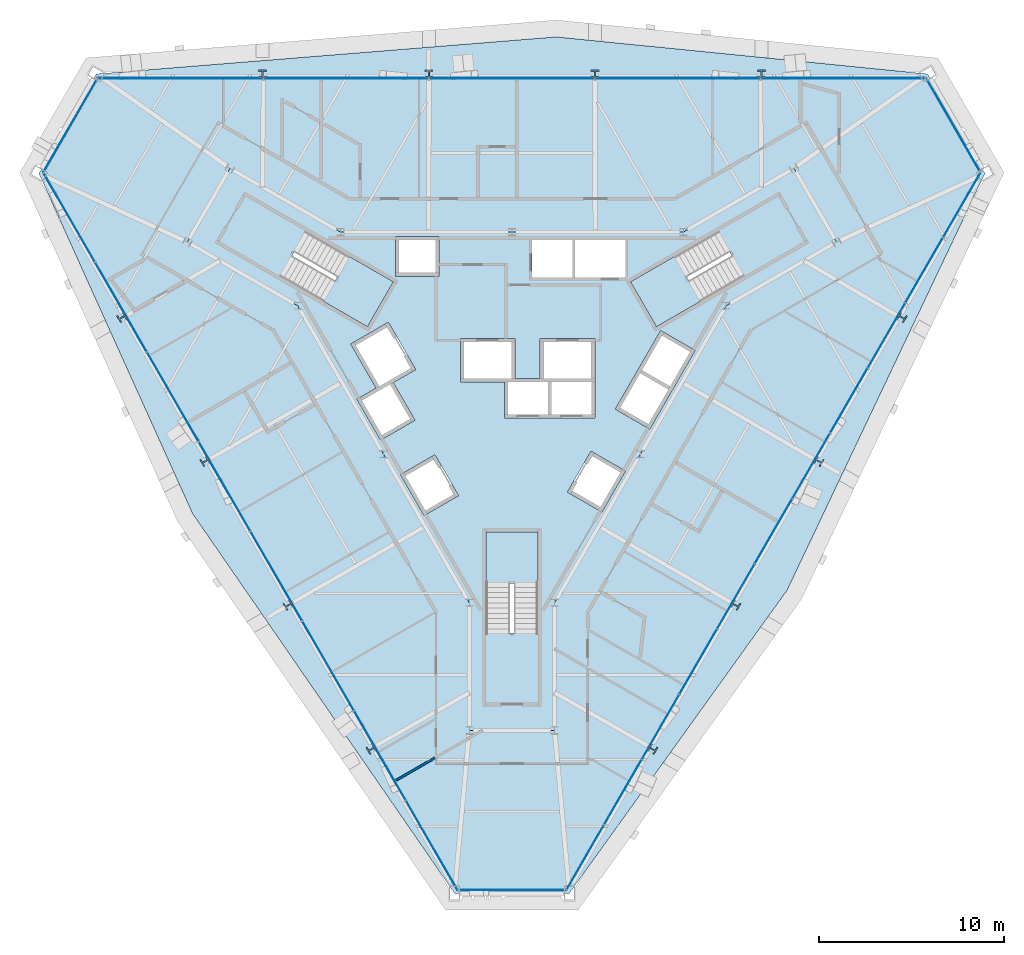
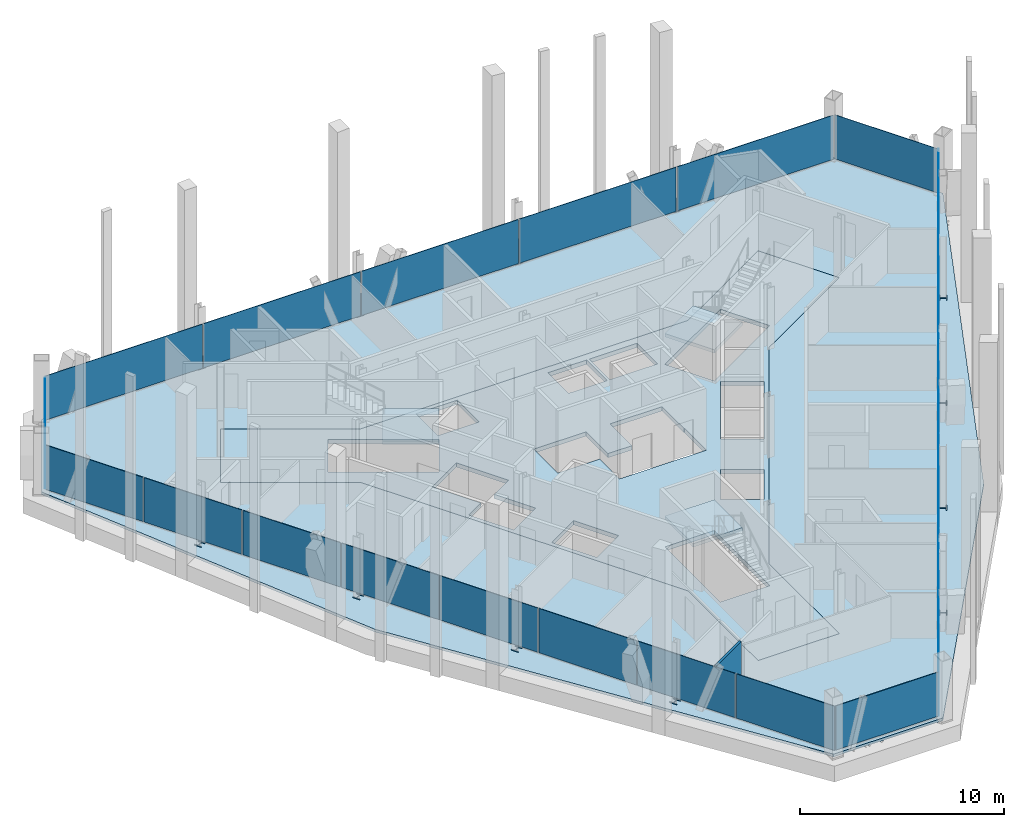
# One storey, part 10 of 16: 27 plates, 12 members, 5 slabs, 1 wall, 9 elements without a shape of their own.
"""IFC4 building model written with IfcOpenShell, lengths in metres."""

from ifc_helpers import new_model, si_unit, direction, frame, frame_2d, origin, origin_2d, place, context, subcontext, project, spatial, polyline, rectangle, i_section, outline, extrude, material, layer, layer_set, material_profile, profile_set, type_object, element, aggregate, save


model = new_model("IFC4")

# Units and contexts
model_context = context("Model", 3, precision=1e-05, world=origin(), true_north=direction((0.0, 1.0)))
body_context = subcontext(model_context, "Body", "Model", "MODEL_VIEW")
ifc_project = project(units=[si_unit("LENGTHUNIT", "METRE"), si_unit("AREAUNIT", "SQUARE_METRE"), si_unit("VOLUMEUNIT", "CUBIC_METRE"), si_unit("PLANEANGLEUNIT", "RADIAN"), si_unit("MASSUNIT", "GRAM", prefix="KILO")], contexts=[model_context])

# Site, building, storey
site_placement = place(None, origin())
site = spatial("IfcSite", under=ifc_project, at=site_placement, CompositionType="ELEMENT")
building_placement = place(site_placement, origin())
building = spatial("IfcBuilding", under=site, at=building_placement, Name="Verrane Prism Tower", CompositionType="ELEMENT")
storey_placement = place(building_placement, frame((0.0, 0.0, 236.0)))
storey = spatial("IfcBuildingStorey", under=building, at=storey_placement, Name="L59", CompositionType="ELEMENT", Elevation=236.0)

# Members
ifc_material_1 = material(Name="Steel A992", Category="steel")
ifc_material_profile = material_profile(ifc_material_1, i_section(OverallWidth=0.4013671875, OverallDepth=0.398681640625, WebThickness=0.02490234375, FlangeThickness=0.03955078125, FilletRadius=0.01513671875, at=origin_2d()), Name="W14x211")
ifc_profile_set = profile_set([ifc_material_profile], Name="Steel A992")
member_type = type_object("IfcMemberType", Name="Kink node W14x211", PredefinedType="COLLAR", material=ifc_profile_set)
for number, where, z_axis, x_axis, name in (
    (1, (13.458984375, 16.526611328125, -0.034912109375), (0.0, 0.0, 1.0), (1.0, 0.0, 0.0), "Kink node PC8 L59"),
    (2, (4.489501953125, 16.526611328125, -0.034912109375), (0.0, 0.0, 1.0), (1.0, 0.0, 0.0), "Kink node PC8 L59"),
    (3, (-4.489501953125, 16.526611328125, -0.034912109375), (0.0, 0.0, 1.0), (1.0, 0.0, 0.0), "Kink node PC8 L59"),
    (4, (-13.458984375, 16.526611328125, -0.034912109375), (0.0, 0.0, 1.0), (1.0, 0.0, 0.0), "Kink node PC8 L59"),
    (5, (7.587646484375, -19.917236328125, -0.034912109375), (0.0, 0.0, 1.0), (-0.5, -0.866025403784, 0.0), "Kink node PC8 L59"),
    (6, (12.0673828125, -12.14794921875, -0.034912109375), (0.0, 0.0, 1.0), (-0.5, -0.866025403784, 0.0), "Kink node PC8 L59"),
    (7, (16.556884765625, -4.378662109375, -0.034912109375), (0.0, 0.0, 1.0), (-0.5, -0.866025403784, 0.0), "Kink node PC8 L59"),
):
    element("IfcMember", number, at=place(storey_placement, frame(where, z_axis=z_axis, x_axis=x_axis)), inside=storey, type_object=member_type, Name=name, PredefinedType="COLLAR", context=body_context, shape_type="SweptSolid", body=[
        extrude(i_section(OverallWidth=0.4013671875, OverallDepth=0.398681640625, WebThickness=0.02490234375, FlangeThickness=0.03955078125, FilletRadius=0.01513671875, at=origin_2d()), origin(), (0.0, 0.0, 1.0), 0.06982421875),
    ])
for number, where, z_axis, x_axis, name in (
    (8, (21.046142578125, 3.390869140625, -0.0400390625), (0.0, 0.0, 1.0), (-0.5, -0.866025403784, 0.0), "Kink node PC8 L59"),
    (9, (-21.046142578125, 3.390869140625, -0.0400390625), (0.0, 0.0, 1.0), (-0.5, 0.866025403784, 0.0), "Kink node PC8 L59"),
):
    element("IfcMember", number, at=place(storey_placement, frame(where, z_axis=z_axis, x_axis=x_axis)), inside=storey, type_object=member_type, Name=name, PredefinedType="COLLAR", context=body_context, shape_type="SweptSolid", body=[
        extrude(i_section(OverallWidth=0.4013671875, OverallDepth=0.398681640625, WebThickness=0.02490234375, FlangeThickness=0.03955078125, FilletRadius=0.01513671875, at=origin_2d()), origin(), (0.0, 0.0, 1.0), 0.080078125),
    ])
for number, where, z_axis, x_axis, name in (
    (10, (-16.556884765625, -4.378662109375, -0.034912109375), (0.0, 0.0, 1.0), (-0.5, 0.866025403784, 0.0), "Kink node PC8 L59"),
    (11, (-12.0673828125, -12.14794921875, -0.034912109375), (0.0, 0.0, 1.0), (-0.5, 0.866025403784, 0.0), "Kink node PC8 L59"),
    (12, (-7.587646484375, -19.917236328125, -0.034912109375), (0.0, 0.0, 1.0), (-0.5, 0.866025403784, 0.0), "Kink node PC8 L59"),
):
    element("IfcMember", number, at=place(storey_placement, frame(where, z_axis=z_axis, x_axis=x_axis)), inside=storey, type_object=member_type, Name=name, PredefinedType="COLLAR", context=body_context, shape_type="SweptSolid", body=[
        extrude(i_section(OverallWidth=0.4013671875, OverallDepth=0.398681640625, WebThickness=0.02490234375, FlangeThickness=0.03955078125, FilletRadius=0.01513671875, at=origin_2d()), origin(), (0.0, 0.0, 1.0), 0.06982421875),
    ])

# Slabs
ifc_material_2 = material(Name="Concrete C35/45", Category="concrete")
ifc_layer_1 = layer(ifc_material_2, 0.159912109375)
ifc_layer_set_1 = layer_set([ifc_layer_1], Name="Composite floor slab")
slab_type_1 = type_object("IfcSlabType", Name="Composite floor slab", PredefinedType="FLOOR", material=ifc_layer_set_1)
slab_1_placement = place(storey_placement, frame((0.0, 0.0, -0.159912109375)))
element("IfcSlab", 13, at=slab_1_placement, inside=storey, type_object=slab_type_1, Name="Floor slab L59", PredefinedType="FLOOR", context=body_context, shape_type="SweptSolid", body=[
    extrude(outline(polyline([(14.85107421875, -11.33740234375), (3.09912109375, -27.6923828125), (-3.09912109375, -27.6923828125), (-17.243896484375, -7.192626953125), (-25.53173828125, 11.162353515625), (-22.432861328125, 16.530029296875), (2.392822265625, 18.530029296875), (22.432861328125, 16.530029296875), (25.53173828125, 11.162353515625), (14.85107421875, -11.33740234375)]), holes=[polyline([(17.52001953125, 7.4599609375), (15.219970703125, 11.43994140625), (9.260009765625, 8.0), (0.0, 8.0), (-9.260009765625, 8.0), (-15.219970703125, 11.43994140625), (-17.52001953125, 7.4599609375), (-11.56005859375, 4.02001953125), (-6.929931640625, -4.0), (-2.300048828125, -12.02001953125), (-2.300048828125, -18.89990234375), (2.300048828125, -18.89990234375), (2.300048828125, -12.02001953125), (6.929931640625, -4.0), (11.56005859375, 4.02001953125), (17.52001953125, 7.4599609375)])]), origin(), (0.0, 0.0, 1.0), 0.159912109375),
])
ifc_material_3 = material(Name="Concrete C40/50", Category="concrete")
ifc_layer_2 = layer(ifc_material_3, 0.25)
ifc_layer_set_2 = layer_set([ifc_layer_2], Name="Core floor slab 250 concrete C40/50")
slab_type_2 = type_object("IfcSlabType", Name="Core floor slab 250 concrete C40/50", PredefinedType="FLOOR", material=ifc_layer_set_2)
slab_2_placement = place(storey_placement, frame((0.0, 0.0, -0.25)))
element("IfcSlab", 14, at=slab_2_placement, inside=storey, type_object=slab_type_2, Name="Core floor L59", PredefinedType="FLOOR", context=body_context, shape_type="SweptSolid", body=[
    extrude(outline(polyline([(11.56005859375, 4.02001953125), (17.52001953125, 7.4599609375), (15.219970703125, 11.43994140625), (9.260009765625, 8.0), (0.0, 8.0), (-9.260009765625, 8.0), (-15.219970703125, 11.43994140625), (-17.52001953125, 7.4599609375), (-11.56005859375, 4.02001953125), (-6.929931640625, -4.0), (-2.300048828125, -12.02001953125), (-2.300048828125, -18.89990234375), (2.300048828125, -18.89990234375), (2.300048828125, -12.02001953125), (6.929931640625, -4.0), (11.56005859375, 4.02001953125)]), holes=[polyline([(1.39990234375, -8.199951171875), (1.39990234375, -13.639892578125), (-1.39990234375, -13.639892578125), (-1.39990234375, -8.199951171875), (1.39990234375, -8.199951171875)]), polyline([(-2.881103515625, -6.22998046875), (-4.742919921875, -7.304931640625), (-6.01806640625, -5.096923828125), (-4.156005859375, -4.02197265625), (-2.881103515625, -6.22998046875)]), polyline([(-7.801025390625, 2.887939453125), (-12.512939453125, 5.60791015625), (-11.113037109375, 8.031982421875), (-6.40087890625, 5.31201171875), (-7.801025390625, 2.887939453125)]), polyline([(-6.284912109375, 5.610107421875), (-6.284912109375, 7.760009765625), (-3.93505859375, 7.760009765625), (-3.93505859375, 5.610107421875), (-6.284912109375, 5.610107421875)]), polyline([(4.26611328125, -3.8310546875), (6.1279296875, -4.906005859375), (4.85302734375, -7.114990234375), (2.990966796875, -6.0400390625), (4.26611328125, -3.8310546875)]), polyline([(7.43798828125, -2.636962890625), (5.575927734375, -1.56201171875), (8.02587890625, 2.680908203125), (9.887939453125, 1.60595703125), (7.43798828125, -2.636962890625)]), polyline([(0.1650390625, 0.10009765625), (1.52490234375, 0.10009765625), (1.52490234375, 2.25), (4.47509765625, 2.25), (4.47509765625, 0.10009765625), (4.4951171875, 0.10009765625), (4.4951171875, -2.050048828125), (-0.405029296875, -2.050048828125), (-0.405029296875, -0.10009765625), (-2.784912109375, -0.10009765625), (-2.784912109375, 2.25), (0.1650390625, 2.25), (0.1650390625, 0.10009765625)]), polyline([(6.40087890625, 5.31201171875), (11.113037109375, 8.031982421875), (12.512939453125, 5.60791015625), (7.801025390625, 2.887939453125), (6.40087890625, 5.31201171875)]), polyline([(1.074951171875, 5.534912109375), (1.074951171875, 7.56005859375), (3.264892578125, 7.56005859375), (3.264892578125, 5.534912109375), (1.074951171875, 5.534912109375)]), polyline([(3.4150390625, 7.56005859375), (6.125, 7.56005859375), (6.125, 5.534912109375), (3.4150390625, 5.534912109375), (3.4150390625, 7.56005859375)]), polyline([(-5.23095703125, -2.159912109375), (-7.093017578125, -3.235107421875), (-8.367919921875, -1.02587890625), (-7.3291015625, -0.426025390625), (-8.7041015625, 1.955078125), (-6.66796875, 3.1298828125), (-5.193115234375, 0.574951171875), (-6.406005859375, -0.125), (-5.23095703125, -2.159912109375)])]), origin(), (0.0, 0.0, 1.0), 0.25),
])

# Curtain wall, plates
ifc_material_4 = material(Name="Aluminium framed insulated glazing", Category="aluminium")
curtain_wall_type_1 = type_object("IfcCurtainWallType", Name="Curtain wall CW-C 4200 module", PredefinedType="NOTDEFINED", material=ifc_material_4)
curtain_wall_1_placement = place(storey_placement, origin())
curtain_wall_1 = element("IfcCurtainWall", 15, at=curtain_wall_1_placement, inside=storey, type_object=curtain_wall_type_1, Name="Glazed curtain wall south-east face L59", PredefinedType="NOTDEFINED")
ifc_material_5 = material(Name="Low-iron insulating glass unit", Category="glass")
ifc_layer_3 = layer(ifc_material_5, 0.02392578125)
ifc_layer_set_3 = layer_set([ifc_layer_3], Name="Glazing panel IGU 24")
plate_type_1 = type_object("IfcPlateType", Name="Glazing panel IGU 24", PredefinedType="CURTAIN_PANEL", material=ifc_layer_set_3)
plate_1_placement = place(storey_placement, frame((3.96044921875, -25.743896484375, 0.0498046875), z_axis=(0.0, 0.0, 1.0), x_axis=(0.499999384578, 0.866025759098, 0.0)))
plate_1 = element("IfcPlate", 16, at=plate_1_placement, type_object=plate_type_1, Name="CW59.6 panel 1", PredefinedType="CURTAIN_PANEL", context=body_context, shape_type="SweptSolid", body=[
    extrude(rectangle(XDim=3.990478515625, YDim=0.02392578125, at=origin_2d()), origin(), (0.0, 0.0, 1.0), 2.662841796875),
])
plate_2_placement = place(storey_placement, frame((5.987060546875, -22.23388671875, 0.0498046875), z_axis=(0.0, 0.0, 1.0), x_axis=(0.499999384578, 0.866025759098, 0.0)))
plate_2 = element("IfcPlate", 17, at=plate_2_placement, type_object=plate_type_1, Name="CW59.6 panel 2", PredefinedType="CURTAIN_PANEL", context=body_context, shape_type="SweptSolid", body=[
    extrude(rectangle(XDim=4.015380859375, YDim=0.02392578125, at=origin_2d()), origin(), (0.0, 0.0, 1.0), 2.662841796875),
])
plate_3_placement = place(storey_placement, frame((8.01953125, -18.713134765625, 0.0498046875), z_axis=(0.0, 0.0, 1.0), x_axis=(0.499999384578, 0.866025759098, 0.0)))
plate_3 = element("IfcPlate", 18, at=plate_3_placement, type_object=plate_type_1, Name="CW59.6 panel 3", PredefinedType="CURTAIN_PANEL", context=body_context, shape_type="SweptSolid", body=[
    extrude(rectangle(XDim=4.015380859375, YDim=0.02392578125, at=origin_2d()), origin(), (0.0, 0.0, 1.0), 2.662841796875),
])
plate_4_placement = place(storey_placement, frame((10.05224609375, -15.1923828125, 0.0498046875), z_axis=(0.0, 0.0, 1.0), x_axis=(0.499999384578, 0.866025759098, 0.0)))
plate_4 = element("IfcPlate", 19, at=plate_4_placement, type_object=plate_type_1, Name="CW59.6 panel 4", PredefinedType="CURTAIN_PANEL", context=body_context, shape_type="SweptSolid", body=[
    extrude(rectangle(XDim=4.015380859375, YDim=0.02392578125, at=origin_2d()), origin(), (0.0, 0.0, 1.0), 2.662841796875),
])
plate_5_placement = place(storey_placement, frame((12.0849609375, -11.671630859375, 0.0498046875), z_axis=(0.0, 0.0, 1.0), x_axis=(0.499999384578, 0.866025759098, 0.0)))
plate_5 = element("IfcPlate", 20, at=plate_5_placement, type_object=plate_type_1, Name="CW59.6 panel 5", PredefinedType="CURTAIN_PANEL", context=body_context, shape_type="SweptSolid", body=[
    extrude(rectangle(XDim=4.015380859375, YDim=0.02392578125, at=origin_2d()), origin(), (0.0, 0.0, 1.0), 2.662841796875),
])
plate_6_placement = place(storey_placement, frame((14.11767578125, -8.15087890625, 0.0498046875), z_axis=(0.0, 0.0, 1.0), x_axis=(0.499999384578, 0.866025759098, 0.0)))
plate_6 = element("IfcPlate", 21, at=plate_6_placement, type_object=plate_type_1, Name="CW59.6 panel 6", PredefinedType="CURTAIN_PANEL", context=body_context, shape_type="SweptSolid", body=[
    extrude(rectangle(XDim=4.015380859375, YDim=0.02392578125, at=origin_2d()), origin(), (0.0, 0.0, 1.0), 2.662841796875),
])
plate_7_placement = place(storey_placement, frame((16.150390625, -4.630126953125, 0.0498046875), z_axis=(0.0, 0.0, 1.0), x_axis=(0.499999384578, 0.866025759098, 0.0)))
plate_7 = element("IfcPlate", 22, at=plate_7_placement, type_object=plate_type_1, Name="CW59.6 panel 7", PredefinedType="CURTAIN_PANEL", context=body_context, shape_type="SweptSolid", body=[
    extrude(rectangle(XDim=4.015380859375, YDim=0.02392578125, at=origin_2d()), origin(), (0.0, 0.0, 1.0), 2.662841796875),
])
plate_8_placement = place(storey_placement, frame((18.18310546875, -1.109375, 0.0498046875), z_axis=(0.0, 0.0, 1.0), x_axis=(0.499999384578, 0.866025759098, 0.0)))
plate_8 = element("IfcPlate", 23, at=plate_8_placement, type_object=plate_type_1, Name="CW59.6 panel 8", PredefinedType="CURTAIN_PANEL", context=body_context, shape_type="SweptSolid", body=[
    extrude(rectangle(XDim=4.015380859375, YDim=0.02392578125, at=origin_2d()), origin(), (0.0, 0.0, 1.0), 2.662841796875),
])
plate_9_placement = place(storey_placement, frame((20.2158203125, 2.411376953125, 0.0498046875), z_axis=(0.0, 0.0, 1.0), x_axis=(0.499999384578, 0.866025759098, 0.0)))
plate_9 = element("IfcPlate", 24, at=plate_9_placement, type_object=plate_type_1, Name="CW59.6 panel 9", PredefinedType="CURTAIN_PANEL", context=body_context, shape_type="SweptSolid", body=[
    extrude(rectangle(XDim=4.015380859375, YDim=0.02392578125, at=origin_2d()), origin(), (0.0, 0.0, 1.0), 2.662841796875),
])
plate_10_placement = place(storey_placement, frame((22.24853515625, 5.93212890625, 0.0498046875), z_axis=(0.0, 0.0, 1.0), x_axis=(0.499999384578, 0.866025759098, 0.0)))
plate_10 = element("IfcPlate", 25, at=plate_10_placement, type_object=plate_type_1, Name="CW59.6 panel 10", PredefinedType="CURTAIN_PANEL", context=body_context, shape_type="SweptSolid", body=[
    extrude(rectangle(XDim=4.015380859375, YDim=0.02392578125, at=origin_2d()), origin(), (0.0, 0.0, 1.0), 2.662841796875),
])
plate_11_placement = place(storey_placement, frame((24.28759765625, 9.463623046875, 0.0498046875), z_axis=(0.0, 0.0, 1.0), x_axis=(0.499999384578, 0.866025759098, 0.0)))
plate_11 = element("IfcPlate", 26, at=plate_11_placement, type_object=plate_type_1, Name="CW59.6 panel 11", PredefinedType="CURTAIN_PANEL", context=body_context, shape_type="SweptSolid", body=[
    extrude(rectangle(XDim=4.040283203125, YDim=0.02392578125, at=origin_2d()), origin(), (0.0, 0.0, 1.0), 2.662841796875),
])
aggregate(curtain_wall_1, [plate_1, plate_2, plate_3, plate_4, plate_5, plate_6, plate_7, plate_8, plate_9, plate_10, plate_11])

ifc_material_6 = material(Name="Aluminium framed insulated glazing", Category="aluminium")
curtain_wall_type_2 = type_object("IfcCurtainWallType", Name="Curtain wall CW-B 5600 module", PredefinedType="NOTDEFINED", material=ifc_material_6)
curtain_wall_2_placement = place(storey_placement, origin())
curtain_wall_2 = element("IfcCurtainWall", 27, at=curtain_wall_2_placement, inside=storey, type_object=curtain_wall_type_2, Name="Glazed curtain wall south-west face L59", PredefinedType="NOTDEFINED")
ifc_material_7 = material(Name="Low-iron insulating glass unit", Category="glass")
ifc_layer_4 = layer(ifc_material_7, 0.028076171875)
ifc_layer_set_4 = layer_set([ifc_layer_4], Name="Glazing panel IGU 28")
plate_type_2 = type_object("IfcPlateType", Name="Glazing panel IGU 28", PredefinedType="CURTAIN_PANEL", material=ifc_layer_set_4)
plate_12_placement = place(storey_placement, frame((-23.892578125, 8.77978515625, 0.06005859375), z_axis=(0.0, 0.0, 1.0), x_axis=(0.499999384578, -0.866025759098, 0.0)))
plate_12 = element("IfcPlate", 28, at=plate_12_placement, type_object=plate_type_2, Name="CW59.4 panel 1", PredefinedType="CURTAIN_PANEL", context=body_context, shape_type="SweptSolid", body=[
    extrude(rectangle(XDim=5.5, YDim=0.028076171875, at=origin_2d()), origin(), (0.0, 0.0, 1.0), 2.65283203125),
])
plate_13_placement = place(storey_placement, frame((-21.105224609375, 3.95166015625, 0.06005859375), z_axis=(0.0, 0.0, 1.0), x_axis=(0.499999384578, -0.866025759098, 0.0)))
plate_13 = element("IfcPlate", 29, at=plate_13_placement, type_object=plate_type_2, Name="CW59.4 panel 2", PredefinedType="CURTAIN_PANEL", context=body_context, shape_type="SweptSolid", body=[
    extrude(rectangle(XDim=5.530029296875, YDim=0.028076171875, at=origin_2d()), origin(), (0.0, 0.0, 1.0), 2.65283203125),
])
plate_14_placement = place(storey_placement, frame((-18.310302734375, -0.889404296875, 0.06005859375), z_axis=(0.0, 0.0, 1.0), x_axis=(0.499999384578, -0.866025759098, 0.0)))
plate_14 = element("IfcPlate", 30, at=plate_14_placement, type_object=plate_type_2, Name="CW59.4 panel 3", PredefinedType="CURTAIN_PANEL", context=body_context, shape_type="SweptSolid", body=[
    extrude(rectangle(XDim=5.530029296875, YDim=0.028076171875, at=origin_2d()), origin(), (0.0, 0.0, 1.0), 2.65283203125),
])
plate_15_placement = place(storey_placement, frame((-15.51513671875, -5.73046875, 0.06005859375), z_axis=(0.0, 0.0, 1.0), x_axis=(0.499999384578, -0.866025759098, 0.0)))
plate_15 = element("IfcPlate", 31, at=plate_15_placement, type_object=plate_type_2, Name="CW59.4 panel 4", PredefinedType="CURTAIN_PANEL", context=body_context, shape_type="SweptSolid", body=[
    extrude(rectangle(XDim=5.530029296875, YDim=0.028076171875, at=origin_2d()), origin(), (0.0, 0.0, 1.0), 2.65283203125),
])
plate_16_placement = place(storey_placement, frame((-12.72021484375, -10.571533203125, 0.06005859375), z_axis=(0.0, 0.0, 1.0), x_axis=(0.499999384578, -0.866025759098, 0.0)))
plate_16 = element("IfcPlate", 32, at=plate_16_placement, type_object=plate_type_2, Name="CW59.4 panel 5", PredefinedType="CURTAIN_PANEL", context=body_context, shape_type="SweptSolid", body=[
    extrude(rectangle(XDim=5.530029296875, YDim=0.028076171875, at=origin_2d()), origin(), (0.0, 0.0, 1.0), 2.65283203125),
])
plate_17_placement = place(storey_placement, frame((-9.92529296875, -15.412353515625, 0.06005859375), z_axis=(0.0, 0.0, 1.0), x_axis=(0.499999384578, -0.866025759098, 0.0)))
plate_17 = element("IfcPlate", 33, at=plate_17_placement, type_object=plate_type_2, Name="CW59.4 panel 6", PredefinedType="CURTAIN_PANEL", context=body_context, shape_type="SweptSolid", body=[
    extrude(rectangle(XDim=5.530029296875, YDim=0.028076171875, at=origin_2d()), origin(), (0.0, 0.0, 1.0), 2.65283203125),
])
plate_18_placement = place(storey_placement, frame((-7.13037109375, -20.25341796875, 0.06005859375), z_axis=(0.0, 0.0, 1.0), x_axis=(0.499999384578, -0.866025759098, 0.0)))
plate_18 = element("IfcPlate", 34, at=plate_18_placement, type_object=plate_type_2, Name="CW59.4 panel 7", PredefinedType="CURTAIN_PANEL", context=body_context, shape_type="SweptSolid", body=[
    extrude(rectangle(XDim=5.530029296875, YDim=0.028076171875, at=origin_2d()), origin(), (0.0, 0.0, 1.0), 2.65283203125),
])
plate_19_placement = place(storey_placement, frame((-4.327880859375, -25.107421875, 0.06005859375), z_axis=(0.0, 0.0, 1.0), x_axis=(0.499999384578, -0.866025759098, 0.0)))
plate_19 = element("IfcPlate", 35, at=plate_19_placement, type_object=plate_type_2, Name="CW59.4 panel 8", PredefinedType="CURTAIN_PANEL", context=body_context, shape_type="SweptSolid", body=[
    extrude(rectangle(XDim=5.559814453125, YDim=0.028076171875, at=origin_2d()), origin(), (0.0, 0.0, 1.0), 2.65283203125),
])
aggregate(curtain_wall_2, [plate_12, plate_13, plate_14, plate_15, plate_16, plate_17, plate_18, plate_19])

# Curtain wall, plate
ifc_material_8 = material(Name="Aluminium framed insulated glazing", Category="aluminium")
curtain_wall_type_3 = type_object("IfcCurtainWallType", Name="Curtain wall CW-A 8400 module", PredefinedType="NOTDEFINED", material=ifc_material_8)
curtain_wall_3_placement = place(storey_placement, origin())
curtain_wall_3 = element("IfcCurtainWall", 36, at=curtain_wall_3_placement, inside=storey, type_object=curtain_wall_type_3, Name="Glazed curtain wall north-east corner L59", PredefinedType="NOTDEFINED")
ifc_material_9 = material(Name="Low-iron insulating glass unit", Category="glass")
ifc_layer_5 = layer(ifc_material_9, 0.031982421875)
ifc_layer_set_5 = layer_set([ifc_layer_5], Name="Glazing panel IGU 32")
plate_type_3 = type_object("IfcPlateType", Name="Glazing panel IGU 32", PredefinedType="CURTAIN_PANEL", material=ifc_layer_set_5)
plate_20_placement = place(storey_placement, frame((23.81103515625, 13.787841796875, 0.06982421875), z_axis=(0.0, 0.0, 1.0), x_axis=(-0.499999415427, 0.866025741287, 0.0)))
plate_20 = element("IfcPlate", 37, at=plate_20_placement, type_object=plate_type_3, Name="CW59.1 panel 1", PredefinedType="CURTAIN_PANEL", context=body_context, shape_type="SweptSolid", body=[
    extrude(rectangle(XDim=5.805908203125, YDim=0.031982421875, at=origin_2d()), origin(), (0.0, 0.0, 1.0), 2.642822265625),
])
aggregate(curtain_wall_3, [plate_20])

# Curtain wall, plates
curtain_wall_4_placement = place(storey_placement, origin())
curtain_wall_4 = element("IfcCurtainWall", 38, at=curtain_wall_4_placement, inside=storey, type_object=curtain_wall_type_3, Name="Glazed curtain wall north face L59", PredefinedType="NOTDEFINED")
plate_21_placement = place(storey_placement, frame((17.870361328125, 16.3017578125, 0.06982421875), z_axis=(0.0, 0.0, 1.0), x_axis=(-1.0, 0.0, 0.0)))
plate_21 = element("IfcPlate", 39, at=plate_21_placement, type_object=plate_type_3, Name="CW59.2 panel 1", PredefinedType="CURTAIN_PANEL", context=body_context, shape_type="SweptSolid", body=[
    extrude(rectangle(XDim=8.8388671875, YDim=0.031982421875, at=origin_2d()), origin(), (0.0, 0.0, 1.0), 2.642822265625),
])
plate_22_placement = place(storey_placement, frame((8.94384765625, 16.3017578125, 0.06982421875), z_axis=(0.0, 0.0, 1.0), x_axis=(-1.0, 0.0, 0.0)))
plate_22 = element("IfcPlate", 40, at=plate_22_placement, type_object=plate_type_3, Name="CW59.2 panel 2", PredefinedType="CURTAIN_PANEL", context=body_context, shape_type="SweptSolid", body=[
    extrude(rectangle(XDim=8.873779296875, YDim=0.031982421875, at=origin_2d()), origin(), (0.0, 0.0, 1.0), 2.642822265625),
])
plate_23_placement = place(storey_placement, frame((0.0, 16.3017578125, 0.06982421875), z_axis=(0.0, 0.0, 1.0), x_axis=(-1.0, 0.0, 0.0)))
plate_23 = element("IfcPlate", 41, at=plate_23_placement, type_object=plate_type_3, Name="CW59.2 panel 3", PredefinedType="CURTAIN_PANEL", context=body_context, shape_type="SweptSolid", body=[
    extrude(rectangle(XDim=8.873779296875, YDim=0.031982421875, at=origin_2d()), origin(), (0.0, 0.0, 1.0), 2.642822265625),
])
plate_24_placement = place(storey_placement, frame((-8.94384765625, 16.3017578125, 0.06982421875), z_axis=(0.0, 0.0, 1.0), x_axis=(-1.0, 0.0, 0.0)))
plate_24 = element("IfcPlate", 42, at=plate_24_placement, type_object=plate_type_3, Name="CW59.2 panel 4", PredefinedType="CURTAIN_PANEL", context=body_context, shape_type="SweptSolid", body=[
    extrude(rectangle(XDim=8.873779296875, YDim=0.031982421875, at=origin_2d()), origin(), (0.0, 0.0, 1.0), 2.642822265625),
])
plate_25_placement = place(storey_placement, frame((-17.9052734375, 16.3017578125, 0.06982421875), z_axis=(0.0, 0.0, 1.0), x_axis=(-1.0, 0.0, 0.0)))
plate_25 = element("IfcPlate", 43, at=plate_25_placement, type_object=plate_type_3, Name="CW59.2 panel 5", PredefinedType="CURTAIN_PANEL", context=body_context, shape_type="SweptSolid", body=[
    extrude(rectangle(XDim=8.908935546875, YDim=0.031982421875, at=origin_2d()), origin(), (0.0, 0.0, 1.0), 2.642822265625),
])
aggregate(curtain_wall_4, [plate_21, plate_22, plate_23, plate_24, plate_25])

# Curtain wall, plate
curtain_wall_5_placement = place(storey_placement, origin())
curtain_wall_5 = element("IfcCurtainWall", 44, at=curtain_wall_5_placement, inside=storey, type_object=curtain_wall_type_3, Name="Glazed curtain wall north-west corner L59", PredefinedType="NOTDEFINED")
plate_26_placement = place(storey_placement, frame((-23.84619140625, 13.727294921875, 0.06982421875), z_axis=(0.0, 0.0, 1.0), x_axis=(-0.499999415427, -0.866025741287, 0.0)))
plate_26 = element("IfcPlate", 45, at=plate_26_placement, type_object=plate_type_3, Name="CW59.3 panel 1", PredefinedType="CURTAIN_PANEL", context=body_context, shape_type="SweptSolid", body=[
    extrude(rectangle(XDim=5.805908203125, YDim=0.031982421875, at=origin_2d()), origin(), (0.0, 0.0, 1.0), 2.642822265625),
])
aggregate(curtain_wall_5, [plate_26])

curtain_wall_6_placement = place(storey_placement, origin())
curtain_wall_6 = element("IfcCurtainWall", 46, at=curtain_wall_6_placement, inside=storey, type_object=curtain_wall_type_3, Name="Glazed curtain wall south corner L59", PredefinedType="NOTDEFINED")
plate_27_placement = place(storey_placement, frame((0.034912109375, -27.514892578125, 0.06982421875), z_axis=(0.0, 0.0, 1.0), x_axis=(1.0, 0.0, 0.0)))
plate_27 = element("IfcPlate", 47, at=plate_27_placement, type_object=plate_type_3, Name="CW59.5 panel 1", PredefinedType="CURTAIN_PANEL", context=body_context, shape_type="SweptSolid", body=[
    extrude(rectangle(XDim=5.805908203125, YDim=0.031982421875, at=origin_2d()), origin(), (0.0, 0.0, 1.0), 2.642822265625),
])
aggregate(curtain_wall_6, [plate_27])

# Stair, slab
ifc_material_10 = material(Name="Concrete C40/50", Category="concrete")
stair_type = type_object("IfcStairType", Name="Exit stair 1300 dog-leg precast concrete C40/50", PredefinedType="HALF_TURN_STAIR", material=ifc_material_10)
stair_1_placement = place(storey_placement, origin())
stair_1 = element("IfcStair", 48, at=stair_1_placement, inside=storey, type_object=stair_type, Name="Stair 1 L59", PredefinedType="HALF_TURN_STAIR")
ifc_material_11 = material(Name="Concrete C40/50", Category="concrete")
ifc_layer_6 = layer(ifc_material_11, 0.199951171875)
ifc_layer_set_6 = layer_set([ifc_layer_6], Name="Stair landing 200 precast concrete C40/50")
slab_type_3 = type_object("IfcSlabType", Name="Stair landing 200 precast concrete C40/50", PredefinedType="LANDING", material=ifc_layer_set_6)
slab_3_placement = place(storey_placement, frame((0.0, 0.0, 1.64990234375)))
slab_3 = element("IfcSlab", 49, at=slab_3_placement, type_object=slab_type_3, Name="Stair 1 landing 1", PredefinedType="LANDING", context=body_context, shape_type="SweptSolid", body=[
    extrude(outline(polyline([(8.791748046875, 6.6923828125), (6.4013671875, 5.3125), (7.801513671875, 2.887451171875), (10.191650390625, 4.267578125), (8.791748046875, 6.6923828125)])), origin(), (0.0, 0.0, 1.0), 0.2001953125),
])
aggregate(stair_1, [slab_3])

stair_2_placement = place(storey_placement, origin())
stair_2 = element("IfcStair", 50, at=stair_2_placement, inside=storey, type_object=stair_type, Name="Stair 2 L59", PredefinedType="HALF_TURN_STAIR")
slab_4_placement = place(storey_placement, frame((0.0, 0.0, 1.64990234375)))
slab_4 = element("IfcSlab", 51, at=slab_4_placement, type_object=slab_type_3, Name="Stair 2 landing 1", PredefinedType="LANDING", context=body_context, shape_type="SweptSolid", body=[
    extrude(outline(polyline([(-10.191650390625, 4.267578125), (-7.801513671875, 2.887451171875), (-6.4013671875, 5.3125), (-8.791748046875, 6.6923828125), (-10.191650390625, 4.267578125)])), origin(), (0.0, 0.0, 1.0), 0.2001953125),
])
aggregate(stair_2, [slab_4])

stair_3_placement = place(storey_placement, origin())
stair_3 = element("IfcStair", 52, at=stair_3_placement, inside=storey, type_object=stair_type, Name="Stair 3 L59", PredefinedType="HALF_TURN_STAIR")
slab_5_placement = place(storey_placement, frame((0.0, 0.0, 1.64990234375)))
slab_5 = element("IfcSlab", 53, at=slab_5_placement, type_object=slab_type_3, Name="Stair 3 landing 1", PredefinedType="LANDING", context=body_context, shape_type="SweptSolid", body=[
    extrude(outline(polyline([(1.39990234375, -10.9599609375), (1.39990234375, -8.199951171875), (-1.39990234375, -8.199951171875), (-1.39990234375, -10.9599609375), (1.39990234375, -10.9599609375)])), origin(), (0.0, 0.0, 1.0), 0.2001953125),
])
aggregate(stair_3, [slab_5])

# Wall
ifc_material_12 = material(Name="Gypsum board partition", Category="other")
ifc_layer_7 = layer(ifc_material_12, 0.125)
ifc_layer_set_7 = layer_set([ifc_layer_7], Name="PW-125 corridor wall 1 h")
wall_type = type_object("IfcWallType", Name="PW-125 corridor wall 1 h", PredefinedType="PARTITIONING", material=ifc_layer_set_7)
wall_placement = place(storey_placement, frame((-6.24755859375, -21.58984375, 0.0), z_axis=(0.0, 0.0, 1.0), x_axis=(0.866059450854, 0.499941024108, 0.0)))
element("IfcWall", 54, at=wall_placement, inside=storey, type_object=wall_type, Name="Corridor wall 023", PredefinedType="PARTITIONING", context=body_context, shape_type="SweptSolid", body=[
    extrude(rectangle(XDim=2.417236328125, YDim=0.125, at=frame_2d((1.20849609375, 0.0))), origin(), (0.0, 0.0, 1.0), 2.712890625),
])

save(model, "model.ifc")
